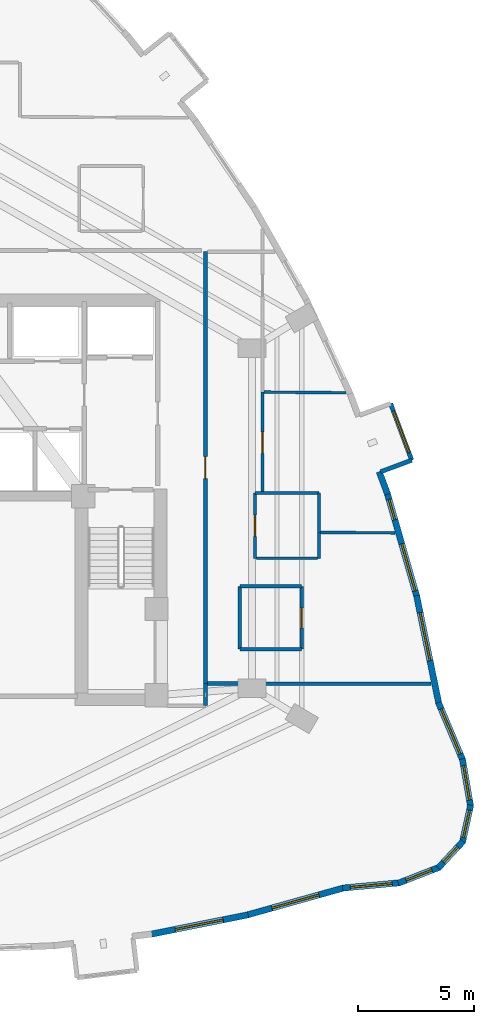
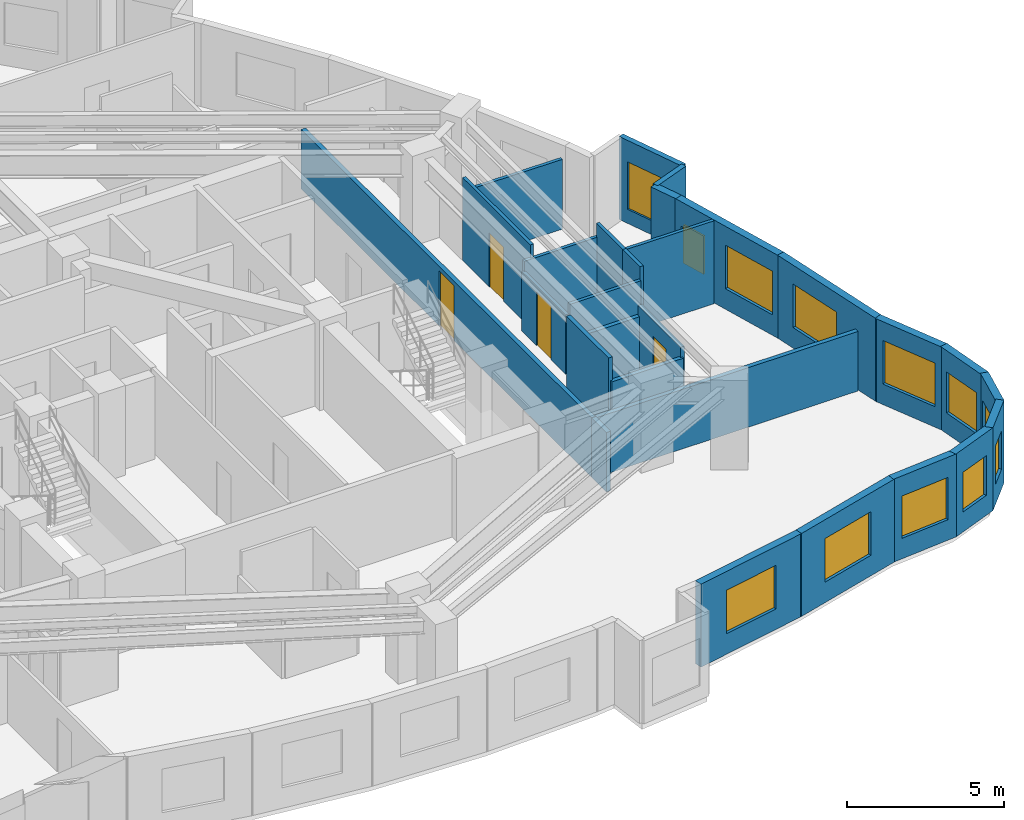
# One storey, part 11 of 14: 28 walls, 12 windows, 4 doors, 16 openings.
"""IFC4 building model written with IfcOpenShell, lengths in metres."""

from ifc_helpers import new_model, si_unit, direction, frame, frame_2d, origin, place, context, subcontext, project, spatial, rectangle, extrude, material, layer, layer_set, type_object, element, fill, save


model = new_model("IFC4")

# Units and contexts
model_context = context("Model", 3, precision=1e-05, world=origin(), true_north=direction((0.0, 1.0)))
body_context = subcontext(model_context, "Body", "Model", "MODEL_VIEW")
ifc_project = project(units=[si_unit("LENGTHUNIT", "METRE"), si_unit("AREAUNIT", "SQUARE_METRE"), si_unit("VOLUMEUNIT", "CUBIC_METRE"), si_unit("PLANEANGLEUNIT", "RADIAN"), si_unit("MASSUNIT", "GRAM", prefix="KILO")], contexts=[model_context])

# Site, building, storey
site_placement = place(None, origin())
site = spatial("IfcSite", under=ifc_project, at=site_placement, CompositionType="ELEMENT")
building_placement = place(site_placement, origin())
building = spatial("IfcBuilding", under=site, at=building_placement, Name="Miruveldt Soraemaru", CompositionType="ELEMENT")
storey_placement = place(building_placement, frame((0.0, 0.0, 114.39990234375)))
storey = spatial("IfcBuildingStorey", under=building, at=storey_placement, Name="L31", CompositionType="ELEMENT", Elevation=114.39990234375)

# Wall
ifc_material_1 = material(Name="White powder-coated aluminium EN AW-6060 T6", Category="aluminium")
ifc_layer_1 = layer(ifc_material_1, 0.18994140625, Name="White powder-coated aluminium EN AW-6060 T6", Category="aluminium")
ifc_layer_set_1 = layer_set([ifc_layer_1], Name="White powder-coated aluminium EN AW-6060 T6")
wall_type_1 = type_object("IfcWallType", Name="WALL-BAY-ALU190", PredefinedType="SOLIDWALL", material=ifc_layer_set_1)
wall_1_placement = place(storey_placement, frame((62.12939453125, 45.095703125, 0.0), z_axis=(0.0, 0.0, 1.0), x_axis=(0.937052436614, 0.349188675411, 0.0)))
element("IfcWall", 1, at=wall_1_placement, inside=storey, type_object=wall_type_1, Name="L31 Bay Window Side Cheek 3L", PredefinedType="SOLIDWALL", context=body_context, shape_type="SweptSolid", body=[
    extrude(rectangle(XDim=1.4248046875, YDim=0.18994140625, at=frame_2d((0.71240234375, 0.0))), origin(), (0.0, 0.0, 1.0), 3.235107421875),
])

# Wall, opening, window
wall_2_placement = place(storey_placement, frame((63.464599609375, 45.59326171875, 0.0), z_axis=(0.0, 0.0, 1.0), x_axis=(-0.349054047709, 0.937102594051, 0.0)))
wall_2 = element("IfcWall", 2, at=wall_2_placement, inside=storey, type_object=wall_type_1, Name="L31 Bay Window Front Frame 3", PredefinedType="SOLIDWALL", context=body_context, shape_type="SweptSolid", body=[
    extrude(rectangle(XDim=2.599853515625, YDim=0.18994140625, at=frame_2d((1.2998046875, 0.0))), origin(), (0.0, 0.0, 1.0), 3.235107421875),
])
opening_1_placement = place(wall_2_placement, frame((0.35009765625, 0.0, 0.550048828125)))
opening_1 = element("IfcOpeningElement", 3, at=opening_1_placement, cuts=wall_2, Name="Opening WN-6", PredefinedType="OPENING", context=body_context, shape_type="SweptSolid", body=[
    extrude(rectangle(XDim=1.89990234375, YDim=1.85009765625, at=frame_2d((0.949951171875, 0.925048828125))), frame((0.0, 0.10498046875, 0.0), z_axis=(0.0, -1.0, 0.0), x_axis=(1.0, 0.0, 0.0)), (0.0, 0.0, 1.0), 0.2099609375),
])
ifc_material_2 = material(Name="Triple low-e insulated glazing", Category="glass")
window_type_1 = type_object("IfcWindowType", Name="WIN-BAYW-1900x1850", PartitioningType="SINGLE_PANEL", PredefinedType="WINDOW", material=ifc_material_2)
window_1_placement = place(opening_1_placement, origin())
window_1 = element("IfcWindow", 4, at=window_1_placement, inside=storey, type_object=window_type_1, Name="L31 Projecting Bay Window 3", OverallHeight=1.85009765625, OverallWidth=1.89990234375, PartitioningType="SINGLE_PANEL", PredefinedType="WINDOW", context=body_context, shape_type="SweptSolid", body=[
    extrude(rectangle(XDim=1.89990234375, YDim=1.85009765625, at=frame_2d((0.949951171875, 0.925048828125))), frame((0.0, 0.030029296875, 0.0), z_axis=(0.0, -1.0, 0.0), x_axis=(1.0, 0.0, 0.0)), (0.0, 0.0, 1.0), 0.06005859375),
])
fill(opening_1, window_1)

ifc_material_3 = material(Name="Precast concrete C45/55 (45 MPa)", Category="concrete")
ifc_layer_2 = layer(ifc_material_3, 0.27001953125, Name="Precast concrete C45/55 (45 MPa)", Category="concrete")
ifc_layer_set_2 = layer_set([ifc_layer_2], Name="Precast concrete C45/55 (45 MPa)")
wall_type_2 = type_object("IfcWallType", Name="WALL-EXT-PC270", PredefinedType="SOLIDWALL", material=ifc_layer_set_2)
wall_3_placement = place(storey_placement, frame((52.231689453125, 25.22509765625, 0.0), z_axis=(0.0, 0.0, 1.0), x_axis=(0.980580675691, 0.196116135138, 0.0)))
wall_3 = element("IfcWall", 5, at=wall_3_placement, inside=storey, type_object=wall_type_2, Name="L31 Precast Concrete Facade Wall 27", PredefinedType="SOLIDWALL", context=body_context, shape_type="SweptSolid", body=[
    extrude(rectangle(XDim=4.284912109375, YDim=0.27001953125, at=frame_2d((2.142578125, 0.0))), origin(), (0.0, 0.0, 1.0), 3.235107421875),
])
opening_2_placement = place(wall_3_placement, frame((1.093017578125, 0.0, 0.800048828125)))
opening_2 = element("IfcOpeningElement", 6, at=opening_2_placement, cuts=wall_3, Name="Opening WN-1", PredefinedType="OPENING", context=body_context, shape_type="SweptSolid", body=[
    extrude(rectangle(XDim=2.10009765625, YDim=1.699951171875, at=frame_2d((1.050048828125, 0.85009765625))), frame((0.0, 0.14501953125, 0.0), z_axis=(0.0, -1.0, 0.0), x_axis=(1.0, 0.0, 0.0)), (0.0, 0.0, 1.0), 0.2900390625),
])
window_type_2 = type_object("IfcWindowType", Name="WIN-PUNCH-2100x1700", PartitioningType="SINGLE_PANEL", PredefinedType="WINDOW", material=ifc_material_2)
window_2_placement = place(opening_2_placement, origin())
window_2 = element("IfcWindow", 7, at=window_2_placement, inside=storey, type_object=window_type_2, Name="L31 Punched Triple-Glazed Window 27.1", OverallHeight=1.699951171875, OverallWidth=2.10009765625, PartitioningType="SINGLE_PANEL", PredefinedType="WINDOW", context=body_context, shape_type="SweptSolid", body=[
    extrude(rectangle(XDim=2.10009765625, YDim=1.699951171875, at=frame_2d((1.050048828125, 0.85009765625))), frame((0.0, 0.030029296875, 0.0), z_axis=(0.0, -1.0, 0.0), x_axis=(1.0, 0.0, 0.0)), (0.0, 0.0, 1.0), 0.06005859375),
])
fill(opening_2, window_2)

wall_4_placement = place(storey_placement, frame((56.365478515625, 26.04931640625, 0.0), z_axis=(0.0, 0.0, 1.0), x_axis=(0.962969832435, 0.269609164943, 0.0)))
wall_4 = element("IfcWall", 8, at=wall_4_placement, inside=storey, type_object=wall_type_2, Name="L31 Precast Concrete Facade Wall 28", PredefinedType="SOLIDWALL", context=body_context, shape_type="SweptSolid", body=[
    extrude(rectangle(XDim=4.362060546875, YDim=0.27001953125, at=frame_2d((2.18115234375, 0.0))), origin(), (0.0, 0.0, 1.0), 3.235107421875),
])
opening_3_placement = place(wall_4_placement, frame((1.131103515625, 0.0, 0.800048828125)))
opening_3 = element("IfcOpeningElement", 9, at=opening_3_placement, cuts=wall_4, Name="Opening WN-1", PredefinedType="OPENING", context=body_context, shape_type="SweptSolid", body=[
    extrude(rectangle(XDim=2.10009765625, YDim=1.699951171875, at=frame_2d((1.050048828125, 0.85009765625))), frame((0.0, 0.14501953125, 0.0), z_axis=(0.0, -1.0, 0.0), x_axis=(1.0, 0.0, 0.0)), (0.0, 0.0, 1.0), 0.2900390625),
])
window_3_placement = place(opening_3_placement, origin())
window_3 = element("IfcWindow", 10, at=window_3_placement, inside=storey, type_object=window_type_2, Name="L31 Punched Triple-Glazed Window 28.1", OverallHeight=1.699951171875, OverallWidth=2.10009765625, PartitioningType="SINGLE_PANEL", PredefinedType="WINDOW", context=body_context, shape_type="SweptSolid", body=[
    extrude(rectangle(XDim=2.10009765625, YDim=1.699951171875, at=frame_2d((1.050048828125, 0.85009765625))), frame((0.0, 0.030029296875, 0.0), z_axis=(0.0, -1.0, 0.0), x_axis=(1.0, 0.0, 0.0)), (0.0, 0.0, 1.0), 0.06005859375),
])
fill(opening_3, window_3)

wall_5_placement = place(storey_placement, frame((60.497314453125, 27.212646484375, 0.0), z_axis=(0.0, 0.0, 1.0), x_axis=(0.995759153727, 0.091998411779, 0.0)))
wall_5 = element("IfcWall", 11, at=wall_5_placement, inside=storey, type_object=wall_type_2, Name="L31 Precast Concrete Facade Wall 29", PredefinedType="SOLIDWALL", context=body_context, shape_type="SweptSolid", body=[
    extrude(rectangle(XDim=2.468017578125, YDim=0.27001953125, at=frame_2d((1.23388671875, 0.0))), origin(), (0.0, 0.0, 1.0), 3.235107421875),
])
opening_4_placement = place(wall_5_placement, frame((0.333984375, 0.0, 0.800048828125)))
opening_4 = element("IfcOpeningElement", 12, at=opening_4_placement, cuts=wall_5, Name="Opening WN-2", PredefinedType="OPENING", context=body_context, shape_type="SweptSolid", body=[
    extrude(rectangle(XDim=1.800048828125, YDim=1.64990234375, at=frame_2d((0.89990234375, 0.824951171875))), frame((0.0, 0.14501953125, 0.0), z_axis=(0.0, -1.0, 0.0), x_axis=(1.0, 0.0, 0.0)), (0.0, 0.0, 1.0), 0.2900390625),
])
window_type_3 = type_object("IfcWindowType", Name="WIN-PUNCH-1800x1650", PartitioningType="SINGLE_PANEL", PredefinedType="WINDOW", material=ifc_material_2)
window_4_placement = place(opening_4_placement, origin())
window_4 = element("IfcWindow", 13, at=window_4_placement, inside=storey, type_object=window_type_3, Name="L31 Punched Triple-Glazed Window 29.1", OverallHeight=1.64990234375, OverallWidth=1.800048828125, PartitioningType="SINGLE_PANEL", PredefinedType="WINDOW", context=body_context, shape_type="SweptSolid", body=[
    extrude(rectangle(XDim=1.800048828125, YDim=1.64990234375, at=frame_2d((0.89990234375, 0.824951171875))), frame((0.0, 0.030029296875, 0.0), z_axis=(0.0, -1.0, 0.0), x_axis=(1.0, 0.0, 0.0)), (0.0, 0.0, 1.0), 0.06005859375),
])
fill(opening_4, window_4)

wall_6_placement = place(storey_placement, frame((62.887451171875, 27.423583984375, 0.0), z_axis=(0.0, 0.0, 1.0), x_axis=(0.932248087426, 0.361819711306, 0.0)))
wall_6 = element("IfcWall", 14, at=wall_6_placement, inside=storey, type_object=wall_type_2, Name="L31 Precast Concrete Facade Wall 30", PredefinedType="SOLIDWALL", context=body_context, shape_type="SweptSolid", body=[
    extrude(rectangle(XDim=1.8994140625, YDim=0.27001953125, at=frame_2d((0.94970703125, 0.0))), origin(), (0.0, 0.0, 1.0), 3.235107421875),
])
opening_5_placement = place(wall_6_placement, frame((0.35009765625, 0.0, 0.780029296875)))
opening_5 = element("IfcOpeningElement", 15, at=opening_5_placement, cuts=wall_6, Name="Opening WN-4", PredefinedType="OPENING", context=body_context, shape_type="SweptSolid", body=[
    extrude(rectangle(XDim=1.199951171875, YDim=1.550048828125, at=frame_2d((0.60009765625, 0.77490234375))), frame((0.0, 0.14501953125, 0.0), z_axis=(0.0, -1.0, 0.0), x_axis=(1.0, 0.0, 0.0)), (0.0, 0.0, 1.0), 0.2900390625),
])
window_type_4 = type_object("IfcWindowType", Name="WIN-PUNCH-1200x1550", PartitioningType="SINGLE_PANEL", PredefinedType="WINDOW", material=ifc_material_2)
window_5_placement = place(opening_5_placement, origin())
window_5 = element("IfcWindow", 16, at=window_5_placement, inside=storey, type_object=window_type_4, Name="L31 Punched Triple-Glazed Window 30.1", OverallHeight=1.550048828125, OverallWidth=1.199951171875, PartitioningType="SINGLE_PANEL", PredefinedType="WINDOW", context=body_context, shape_type="SweptSolid", body=[
    extrude(rectangle(XDim=1.199951171875, YDim=1.550048828125, at=frame_2d((0.60009765625, 0.77490234375))), frame((0.0, 0.030029296875, 0.0), z_axis=(0.0, -1.0, 0.0), x_axis=(1.0, 0.0, 0.0)), (0.0, 0.0, 1.0), 0.06005859375),
])
fill(opening_5, window_5)

wall_7_placement = place(storey_placement, frame((64.601806640625, 28.072509765625, 0.0), z_axis=(0.0, 0.0, 1.0), x_axis=(0.680094167745, 0.733124766325, 0.0)))
wall_7 = element("IfcWall", 17, at=wall_7_placement, inside=storey, type_object=wall_type_2, Name="L31 Precast Concrete Facade Wall 31", PredefinedType="SOLIDWALL", context=body_context, shape_type="SweptSolid", body=[
    extrude(rectangle(XDim=1.574462890625, YDim=0.27001953125, at=frame_2d((0.787109375, 0.0))), origin(), (0.0, 0.0, 1.0), 3.235107421875),
])
opening_6_placement = place(wall_7_placement, frame((0.3369140625, 0.0, 0.780029296875)))
opening_6 = element("IfcOpeningElement", 18, at=opening_6_placement, cuts=wall_7, Name="Opening WN-7", PredefinedType="OPENING", context=body_context, shape_type="SweptSolid", body=[
    extrude(rectangle(XDim=0.89990234375, YDim=1.5, at=frame_2d((0.449951171875, 0.75))), frame((0.0, 0.14501953125, 0.0), z_axis=(0.0, -1.0, 0.0), x_axis=(1.0, 0.0, 0.0)), (0.0, 0.0, 1.0), 0.2900390625),
])
window_type_5 = type_object("IfcWindowType", Name="WIN-PUNCH-900x1500", PartitioningType="SINGLE_PANEL", PredefinedType="WINDOW", material=ifc_material_2)
window_6_placement = place(opening_6_placement, origin())
window_6 = element("IfcWindow", 19, at=window_6_placement, inside=storey, type_object=window_type_5, Name="L31 Punched Triple-Glazed Window 31.1", OverallHeight=1.5, OverallWidth=0.89990234375, PartitioningType="SINGLE_PANEL", PredefinedType="WINDOW", context=body_context, shape_type="SweptSolid", body=[
    extrude(rectangle(XDim=0.89990234375, YDim=1.5, at=frame_2d((0.449951171875, 0.75))), frame((0.0, 0.030029296875, 0.0), z_axis=(0.0, -1.0, 0.0), x_axis=(1.0, 0.0, 0.0)), (0.0, 0.0, 1.0), 0.06005859375),
])
fill(opening_6, window_6)

wall_8_placement = place(storey_placement, frame((65.641357421875, 29.1669921875, 0.0), z_axis=(0.0, 0.0, 1.0), x_axis=(0.215865785232, 0.976423044979, 0.0)))
wall_8 = element("IfcWall", 20, at=wall_8_placement, inside=storey, type_object=wall_type_2, Name="L31 Precast Concrete Facade Wall 32", PredefinedType="SOLIDWALL", context=body_context, shape_type="SweptSolid", body=[
    extrude(rectangle(XDim=1.651123046875, YDim=0.27001953125, at=frame_2d((0.82568359375, 0.0))), origin(), (0.0, 0.0, 1.0), 3.235107421875),
])
opening_7_placement = place(wall_8_placement, frame((0.22607421875, 0.0, 0.780029296875)))
opening_7 = element("IfcOpeningElement", 21, at=opening_7_placement, cuts=wall_8, Name="Opening WN-4", PredefinedType="OPENING", context=body_context, shape_type="SweptSolid", body=[
    extrude(rectangle(XDim=1.199951171875, YDim=1.550048828125, at=frame_2d((0.60009765625, 0.77490234375))), frame((0.0, 0.14501953125, 0.0), z_axis=(0.0, -1.0, 0.0), x_axis=(1.0, 0.0, 0.0)), (0.0, 0.0, 1.0), 0.2900390625),
])
window_7_placement = place(opening_7_placement, origin())
window_7 = element("IfcWindow", 22, at=window_7_placement, inside=storey, type_object=window_type_4, Name="L31 Punched Triple-Glazed Window 32.1", OverallHeight=1.550048828125, OverallWidth=1.199951171875, PartitioningType="SINGLE_PANEL", PredefinedType="WINDOW", context=body_context, shape_type="SweptSolid", body=[
    extrude(rectangle(XDim=1.199951171875, YDim=1.550048828125, at=frame_2d((0.60009765625, 0.77490234375))), frame((0.0, 0.030029296875, 0.0), z_axis=(0.0, -1.0, 0.0), x_axis=(1.0, 0.0, 0.0)), (0.0, 0.0, 1.0), 0.06005859375),
])
fill(opening_7, window_7)

wall_9_placement = place(storey_placement, frame((65.99609375, 30.710693359375, 0.0), z_axis=(0.0, 0.0, 1.0), x_axis=(-0.16937343878, 0.985551945986, 0.0)))
wall_9 = element("IfcWall", 23, at=wall_9_placement, inside=storey, type_object=wall_type_2, Name="L31 Precast Concrete Facade Wall 33", PredefinedType="SOLIDWALL", context=body_context, shape_type="SweptSolid", body=[
    extrude(rectangle(XDim=2.084228515625, YDim=0.27001953125, at=frame_2d((1.0419921875, 0.0))), origin(), (0.0, 0.0, 1.0), 3.235107421875),
])
opening_8_placement = place(wall_9_placement, frame((0.2919921875, 0.0, 0.800048828125)))
opening_8 = element("IfcOpeningElement", 24, at=opening_8_placement, cuts=wall_9, Name="Opening WN-3", PredefinedType="OPENING", context=body_context, shape_type="SweptSolid", body=[
    extrude(rectangle(XDim=1.5, YDim=1.60009765625, at=frame_2d((0.75, 0.800048828125))), frame((0.0, 0.14501953125, 0.0), z_axis=(0.0, -1.0, 0.0), x_axis=(1.0, 0.0, 0.0)), (0.0, 0.0, 1.0), 0.2900390625),
])
window_type_6 = type_object("IfcWindowType", Name="WIN-PUNCH-1500x1600", PartitioningType="SINGLE_PANEL", PredefinedType="WINDOW", material=ifc_material_2)
window_8_placement = place(opening_8_placement, origin())
window_8 = element("IfcWindow", 25, at=window_8_placement, inside=storey, type_object=window_type_6, Name="L31 Punched Triple-Glazed Window 33.1", OverallHeight=1.60009765625, OverallWidth=1.5, PartitioningType="SINGLE_PANEL", PredefinedType="WINDOW", context=body_context, shape_type="SweptSolid", body=[
    extrude(rectangle(XDim=1.5, YDim=1.60009765625, at=frame_2d((0.75, 0.800048828125))), frame((0.0, 0.030029296875, 0.0), z_axis=(0.0, -1.0, 0.0), x_axis=(1.0, 0.0, 0.0)), (0.0, 0.0, 1.0), 0.06005859375),
])
fill(opening_8, window_8)

wall_10_placement = place(storey_placement, frame((65.66259765625, 32.6982421875, 0.0), z_axis=(0.0, 0.0, 1.0), x_axis=(-0.388626230433, 0.921395492185, 0.0)))
wall_10 = element("IfcWall", 26, at=wall_10_placement, inside=storey, type_object=wall_type_2, Name="L31 Precast Concrete Facade Wall 34", PredefinedType="SOLIDWALL", context=body_context, shape_type="SweptSolid", body=[
    extrude(rectangle(XDim=2.703125, YDim=0.27001953125, at=frame_2d((1.3515625, 0.0))), origin(), (0.0, 0.0, 1.0), 3.235107421875),
])
opening_9_placement = place(wall_10_placement, frame((0.302001953125, 0.0, 0.800048828125)))
opening_9 = element("IfcOpeningElement", 27, at=opening_9_placement, cuts=wall_10, Name="Opening WN-1", PredefinedType="OPENING", context=body_context, shape_type="SweptSolid", body=[
    extrude(rectangle(XDim=2.10009765625, YDim=1.699951171875, at=frame_2d((1.050048828125, 0.85009765625))), frame((0.0, 0.14501953125, 0.0), z_axis=(0.0, -1.0, 0.0), x_axis=(1.0, 0.0, 0.0)), (0.0, 0.0, 1.0), 0.2900390625),
])
window_9_placement = place(opening_9_placement, origin())
window_9 = element("IfcWindow", 28, at=window_9_placement, inside=storey, type_object=window_type_2, Name="L31 Punched Triple-Glazed Window 34.1", OverallHeight=1.699951171875, OverallWidth=2.10009765625, PartitioningType="SINGLE_PANEL", PredefinedType="WINDOW", context=body_context, shape_type="SweptSolid", body=[
    extrude(rectangle(XDim=2.10009765625, YDim=1.699951171875, at=frame_2d((1.050048828125, 0.85009765625))), frame((0.0, 0.030029296875, 0.0), z_axis=(0.0, -1.0, 0.0), x_axis=(1.0, 0.0, 0.0)), (0.0, 0.0, 1.0), 0.06005859375),
])
fill(opening_9, window_9)

wall_11_placement = place(storey_placement, frame((64.6328125, 35.12255859375, 0.0), z_axis=(0.0, 0.0, 1.0), x_axis=(-0.201634082023, 0.979460921613, 0.0)))
wall_11 = element("IfcWall", 29, at=wall_11_placement, inside=storey, type_object=wall_type_2, Name="L31 Precast Concrete Facade Wall 35", PredefinedType="SOLIDWALL", context=body_context, shape_type="SweptSolid", body=[
    extrude(rectangle(XDim=4.753662109375, YDim=0.27001953125, at=frame_2d((2.376953125, 0.0))), origin(), (0.0, 0.0, 1.0), 3.235107421875),
])
opening_10_placement = place(wall_11_placement, frame((1.903076171875, 0.0, 0.800048828125)))
opening_10 = element("IfcOpeningElement", 30, at=opening_10_placement, cuts=wall_11, Name="Opening WN-1", PredefinedType="OPENING", context=body_context, shape_type="SweptSolid", body=[
    extrude(rectangle(XDim=2.10009765625, YDim=1.699951171875, at=frame_2d((1.050048828125, 0.85009765625))), frame((0.0, 0.14501953125, 0.0), z_axis=(0.0, -1.0, 0.0), x_axis=(1.0, 0.0, 0.0)), (0.0, 0.0, 1.0), 0.2900390625),
])
window_10_placement = place(opening_10_placement, origin())
window_10 = element("IfcWindow", 31, at=window_10_placement, inside=storey, type_object=window_type_2, Name="L31 Punched Triple-Glazed Window 35.1", OverallHeight=1.699951171875, OverallWidth=2.10009765625, PartitioningType="SINGLE_PANEL", PredefinedType="WINDOW", context=body_context, shape_type="SweptSolid", body=[
    extrude(rectangle(XDim=2.10009765625, YDim=1.699951171875, at=frame_2d((1.050048828125, 0.85009765625))), frame((0.0, 0.030029296875, 0.0), z_axis=(0.0, -1.0, 0.0), x_axis=(1.0, 0.0, 0.0)), (0.0, 0.0, 1.0), 0.06005859375),
])
fill(opening_10, window_10)

# Wall, openings, windows
wall_12_placement = place(storey_placement, frame((63.691162109375, 39.71044921875, 0.0), z_axis=(0.0, 0.0, 1.0), x_axis=(-0.274948989089, 0.961458815238, 0.0)))
wall_12 = element("IfcWall", 32, at=wall_12_placement, inside=storey, type_object=wall_type_2, Name="L31 Precast Concrete Facade Wall 36", PredefinedType="SOLIDWALL", context=body_context, shape_type="SweptSolid", body=[
    extrude(rectangle(XDim=4.669677734375, YDim=0.27001953125, at=frame_2d((2.3349609375, 0.0))), origin(), (0.0, 0.0, 1.0), 3.235107421875),
])
opening_11_placement = place(wall_12_placement, frame((0.2880859375, 0.0, 0.800048828125)))
opening_11 = element("IfcOpeningElement", 33, at=opening_11_placement, cuts=wall_12, Name="Opening WN-1", PredefinedType="OPENING", context=body_context, shape_type="SweptSolid", body=[
    extrude(rectangle(XDim=2.10009765625, YDim=1.699951171875, at=frame_2d((1.050048828125, 0.85009765625))), frame((0.0, 0.14501953125, 0.0), z_axis=(0.0, -1.0, 0.0), x_axis=(1.0, 0.0, 0.0)), (0.0, 0.0, 1.0), 0.2900390625),
])
opening_12_placement = place(wall_12_placement, frame((3.462890625, 0.0, 0.780029296875)))
opening_12 = element("IfcOpeningElement", 34, at=opening_12_placement, cuts=wall_12, Name="Opening WN-7", PredefinedType="OPENING", context=body_context, shape_type="SweptSolid", body=[
    extrude(rectangle(XDim=0.89990234375, YDim=1.5, at=frame_2d((0.449951171875, 0.75))), frame((0.0, 0.14501953125, 0.0), z_axis=(0.0, -1.0, 0.0), x_axis=(1.0, 0.0, 0.0)), (0.0, 0.0, 1.0), 0.2900390625),
])
window_11_placement = place(opening_11_placement, origin())
window_11 = element("IfcWindow", 35, at=window_11_placement, inside=storey, type_object=window_type_2, Name="L31 Punched Triple-Glazed Window 36.1", OverallHeight=1.699951171875, OverallWidth=2.10009765625, PartitioningType="SINGLE_PANEL", PredefinedType="WINDOW", context=body_context, shape_type="SweptSolid", body=[
    extrude(rectangle(XDim=2.10009765625, YDim=1.699951171875, at=frame_2d((1.050048828125, 0.85009765625))), frame((0.0, 0.030029296875, 0.0), z_axis=(0.0, -1.0, 0.0), x_axis=(1.0, 0.0, 0.0)), (0.0, 0.0, 1.0), 0.06005859375),
])
fill(opening_11, window_11)
window_12_placement = place(opening_12_placement, origin())
window_12 = element("IfcWindow", 36, at=window_12_placement, inside=storey, type_object=window_type_5, Name="L31 Punched Triple-Glazed Window 36.2", OverallHeight=1.5, OverallWidth=0.89990234375, PartitioningType="SINGLE_PANEL", PredefinedType="WINDOW", context=body_context, shape_type="SweptSolid", body=[
    extrude(rectangle(XDim=0.89990234375, YDim=1.5, at=frame_2d((0.449951171875, 0.75))), frame((0.0, 0.030029296875, 0.0), z_axis=(0.0, -1.0, 0.0), x_axis=(1.0, 0.0, 0.0)), (0.0, 0.0, 1.0), 0.06005859375),
])
fill(opening_12, window_12)

# Wall
wall_13_placement = place(storey_placement, frame((62.428955078125, 44.133544921875, 0.0), z_axis=(0.0, 0.0, 1.0), x_axis=(-0.348902141636, 0.937159162342, 0.0)))
element("IfcWall", 37, at=wall_13_placement, inside=storey, type_object=wall_type_2, Name="L31 Precast Pier Wall 37A", PredefinedType="SOLIDWALL", context=body_context, shape_type="SweptSolid", body=[
    extrude(rectangle(XDim=1.036376953125, YDim=0.27001953125, at=frame_2d((0.51806640625, 0.0))), origin(), (0.0, 0.0, 1.0), 3.235107421875),
])

# Wall, opening, door
ifc_material_4 = material(Name="Gypsum plasterboard lining", Category="gypsum")
ifc_layer_3 = layer(ifc_material_4, 0.1201171875, Name="Gypsum plasterboard lining", Category="gypsum")
ifc_layer_set_3 = layer_set([ifc_layer_3], Name="Gypsum plasterboard lining")
wall_type_3 = type_object("IfcWallType", Name="WALL-INT-P120", PredefinedType="PARTITIONING", material=ifc_layer_set_3)
wall_14_placement = place(storey_placement, frame((57.050048828125, 44.179931640625, 0.0), z_axis=(0.0, 0.0, 1.0), x_axis=(0.0, 1.0, 0.0)))
wall_14 = element("IfcWall", 38, at=wall_14_placement, inside=storey, type_object=wall_type_3, Name="L31 Partition Wall 58", PredefinedType="PARTITIONING", context=body_context, shape_type="SweptSolid", body=[
    extrude(rectangle(XDim=4.341064453125, YDim=0.1201171875, at=frame_2d((2.17041015625, 0.0))), origin(), (0.0, 0.0, 1.0), 3.235107421875),
])
opening_13_placement = place(wall_14_placement, frame((1.7109375, 0.0, 0.0)))
opening_13 = element("IfcOpeningElement", 39, at=opening_13_placement, cuts=wall_14, Name="Opening D3A", PredefinedType="OPENING", context=body_context, shape_type="SweptSolid", body=[
    extrude(rectangle(XDim=0.919921875, YDim=2.10009765625, at=frame_2d((0.4599609375, 1.050048828125))), frame((0.0, 0.070068359375, 0.0), z_axis=(0.0, -1.0, 0.0), x_axis=(1.0, 0.0, 0.0)), (0.0, 0.0, 1.0), 0.14013671875),
])
ifc_material_5 = material(Name="Anodised aluminium EN AW-6063 T6", Category="aluminium")
door_type_1 = type_object("IfcDoorType", Name="DOOR-INT-920", OperationType="NOTDEFINED", PredefinedType="DOOR", material=ifc_material_5)
door_1_placement = place(opening_13_placement, origin())
door_1 = element("IfcDoor", 40, at=door_1_placement, inside=storey, type_object=door_type_1, Name="L31 Unit 3104 BD1 Door", OperationType="SINGLE_SWING_RIGHT", OverallHeight=2.10009765625, OverallWidth=0.919921875, PredefinedType="DOOR", context=body_context, shape_type="SweptSolid", body=[
    extrude(rectangle(XDim=0.919921875, YDim=2.10009765625, at=frame_2d((0.4599609375, 1.050048828125))), frame((0.0, 0.02490234375, 0.0), z_axis=(0.0, -1.0, 0.0), x_axis=(1.0, 0.0, 0.0)), (0.0, 0.0, 1.0), 0.050048828125),
])
fill(opening_13, door_1)

wall_15_placement = place(storey_placement, frame((56.72998046875, 44.179931640625, 0.0), z_axis=(0.0, 0.0, 1.0), x_axis=(0.0, -1.0, 0.0)))
wall_15 = element("IfcWall", 41, at=wall_15_placement, inside=storey, type_object=wall_type_3, Name="L31 Partition Wall 55", PredefinedType="PARTITIONING", context=body_context, shape_type="SweptSolid", body=[
    extrude(rectangle(XDim=2.800048828125, YDim=0.1201171875, at=frame_2d((1.39990234375, 0.0))), origin(), (0.0, 0.0, 1.0), 2.322998046875),
])
opening_14_placement = place(wall_15_placement, frame((0.93994140625, 0.0, 0.0)))
opening_14 = element("IfcOpeningElement", 42, at=opening_14_placement, cuts=wall_15, Name="Opening D3A", PredefinedType="OPENING", context=body_context, shape_type="SweptSolid", body=[
    extrude(rectangle(XDim=0.919921875, YDim=2.10009765625, at=frame_2d((0.4599609375, 1.050048828125))), frame((0.0, 0.070068359375, 0.0), z_axis=(0.0, -1.0, 0.0), x_axis=(1.0, 0.0, 0.0)), (0.0, 0.0, 1.0), 0.14013671875),
])
door_2_placement = place(opening_14_placement, origin())
door_2 = element("IfcDoor", 43, at=door_2_placement, inside=storey, type_object=door_type_1, Name="L31 Unit 3104 KIT Door", OperationType="SINGLE_SWING_LEFT", OverallHeight=2.10009765625, OverallWidth=0.919921875, PredefinedType="DOOR", context=body_context, shape_type="SweptSolid", body=[
    extrude(rectangle(XDim=0.919921875, YDim=2.10009765625, at=frame_2d((0.4599609375, 1.050048828125))), frame((0.0, 0.02490234375, 0.0), z_axis=(0.0, -1.0, 0.0), x_axis=(1.0, 0.0, 0.0)), (0.0, 0.0, 1.0), 0.050048828125),
])
fill(opening_14, door_2)

# Walls
wall_16_placement = place(storey_placement, frame((60.634033203125, 48.491943359375, 0.0), z_axis=(0.0, 0.0, 1.0), x_axis=(-0.999966016478, 0.008244142716, 0.0)))
element("IfcWall", 44, at=wall_16_placement, inside=storey, type_object=wall_type_3, Name="L31 Partition Wall 62", PredefinedType="PARTITIONING", context=body_context, shape_type="SweptSolid", body=[
    extrude(rectangle(XDim=3.52392578125, YDim=0.1201171875, at=frame_2d((1.761962890625, 0.0))), origin(), (0.0, 0.0, 1.0), 2.72314453125),
])
wall_17_placement = place(storey_placement, frame((62.7451171875, 42.472900390625, 0.0), z_axis=(0.0, 0.0, 1.0), x_axis=(-0.999982349762, 0.005941394217, 0.0)))
element("IfcWall", 45, at=wall_17_placement, inside=storey, type_object=wall_type_3, Name="L31 Partition Wall 57", PredefinedType="PARTITIONING", context=body_context, shape_type="SweptSolid", body=[
    extrude(rectangle(XDim=3.205078125, YDim=0.1201171875, at=frame_2d((1.6025390625, 0.0))), origin(), (0.0, 0.0, 1.0), 3.235107421875),
])
wall_18_placement = place(storey_placement, frame((59.47998046875, 44.179931640625, 0.0), z_axis=(0.0, 0.0, 1.0), x_axis=(-1.0, 0.0, 0.0)))
element("IfcWall", 46, at=wall_18_placement, inside=storey, type_object=wall_type_3, Name="L31 Partition Wall 71", PredefinedType="PARTITIONING", context=body_context, shape_type="SweptSolid", body=[
    extrude(rectangle(XDim=2.75, YDim=0.1201171875, at=frame_2d((1.375, 0.0))), origin(), (0.0, 0.0, 1.0), 2.72314453125),
])
wall_19_placement = place(storey_placement, frame((56.7900390625, 41.3798828125, 0.0), z_axis=(0.0, 0.0, 1.0), x_axis=(1.0, 0.0, 0.0)))
element("IfcWall", 47, at=wall_19_placement, inside=storey, type_object=wall_type_3, Name="L31 Partition Wall 56", PredefinedType="PARTITIONING", context=body_context, shape_type="SweptSolid", body=[
    extrude(rectangle(XDim=2.6298828125, YDim=0.1201171875, at=frame_2d((1.31494140625, 0.0))), origin(), (0.0, 0.0, 1.0), 2.72314453125),
])
wall_20_placement = place(storey_placement, frame((59.47998046875, 42.491943359375, 0.0), z_axis=(0.0, 0.0, 1.0), x_axis=(0.0, 1.0, 0.0)))
element("IfcWall", 48, at=wall_20_placement, inside=storey, type_object=wall_type_3, Name="L31 Partition Wall 61", PredefinedType="PARTITIONING", context=body_context, shape_type="SweptSolid", body=[
    extrude(rectangle(XDim=1.68798828125, YDim=0.1201171875, at=frame_2d((0.843994140625, 0.0))), origin(), (0.0, 0.0, 1.0), 3.235107421875),
])
wall_21_placement = place(storey_placement, frame((59.47998046875, 41.3798828125, 0.0), z_axis=(0.0, 0.0, 1.0), x_axis=(0.0, 1.0, 0.0)))
element("IfcWall", 49, at=wall_21_placement, inside=storey, type_object=wall_type_3, Name="L31 Partition Wall 54", PredefinedType="PARTITIONING", context=body_context, shape_type="SweptSolid", body=[
    extrude(rectangle(XDim=1.112060546875, YDim=0.1201171875, at=frame_2d((0.55615234375, 0.0))), origin(), (0.0, 0.0, 1.0), 3.235107421875),
])

# Wall, opening, door
ifc_layer_4 = layer(ifc_material_4, 0.14990234375, Name="Gypsum plasterboard lining", Category="gypsum")
ifc_layer_set_4 = layer_set([ifc_layer_4], Name="Gypsum plasterboard lining")
wall_type_4 = type_object("IfcWallType", Name="WALL-INT-PLUMB", PredefinedType="PLUMBINGWALL", material=ifc_layer_set_4)
wall_22_placement = place(storey_placement, frame((58.72998046875, 37.47998046875, 0.0), z_axis=(0.0, 0.0, 1.0), x_axis=(0.0, 1.0, 0.0)))
wall_22 = element("IfcWall", 50, at=wall_22_placement, inside=storey, type_object=wall_type_4, Name="L31 Partition Wall 50", PredefinedType="PLUMBINGWALL", context=body_context, shape_type="SweptSolid", body=[
    extrude(rectangle(XDim=2.699951171875, YDim=0.14990234375, at=frame_2d((1.35009765625, 0.0))), origin(), (0.0, 0.0, 1.0), 2.72314453125),
])
opening_15_placement = place(wall_22_placement, frame((0.909912109375, 0.0, 0.0)))
opening_15 = element("IfcOpeningElement", 51, at=opening_15_placement, cuts=wall_22, Name="Opening FD3", PredefinedType="OPENING", context=body_context, shape_type="SweptSolid", body=[
    extrude(rectangle(XDim=0.85009765625, YDim=2.10009765625, at=frame_2d((0.425048828125, 1.050048828125))), frame((0.0, 0.0849609375, 0.0), z_axis=(0.0, -1.0, 0.0), x_axis=(1.0, 0.0, 0.0)), (0.0, 0.0, 1.0), 0.169921875),
])
door_type_2 = type_object("IfcDoorType", Name="DOOR-FD3-850", OperationType="NOTDEFINED", PredefinedType="DOOR", material=ifc_material_5)
door_3_placement = place(opening_15_placement, origin())
door_3 = element("IfcDoor", 52, at=door_3_placement, inside=storey, type_object=door_type_2, Name="L31 Unit 3104 BTH Door", OperationType="SINGLE_SWING_RIGHT", OverallHeight=2.10009765625, OverallWidth=0.85009765625, PredefinedType="DOOR", context=body_context, shape_type="SweptSolid", body=[
    extrude(rectangle(XDim=0.85009765625, YDim=2.10009765625, at=frame_2d((0.425048828125, 1.050048828125))), frame((0.0, 0.02490234375, 0.0), z_axis=(0.0, -1.0, 0.0), x_axis=(1.0, 0.0, 0.0)), (0.0, 0.0, 1.0), 0.050048828125),
])
fill(opening_15, door_3)

# Walls
wall_23_placement = place(storey_placement, frame((56.080078125, 40.179931640625, 0.0), z_axis=(0.0, 0.0, 1.0), x_axis=(0.0, -1.0, 0.0)))
element("IfcWall", 53, at=wall_23_placement, inside=storey, type_object=wall_type_4, Name="L31 Partition Wall 52", PredefinedType="PLUMBINGWALL", context=body_context, shape_type="SweptSolid", body=[
    extrude(rectangle(XDim=2.699951171875, YDim=0.14990234375, at=frame_2d((1.35009765625, 0.0))), origin(), (0.0, 0.0, 1.0), 3.235107421875),
])
for number, where, z_axis, x_axis, name in (
    (54, (58.72998046875, 40.179931640625, 0.0), (0.0, 0.0, 1.0), (-1.0, 0.0, 0.0), "L31 Partition Wall 51"),
    (55, (56.080078125, 37.47998046875, 0.0), (0.0, 0.0, 1.0), (1.0, 0.0, 0.0), "L31 Partition Wall 53"),
):
    element("IfcWall", number, at=place(storey_placement, frame(where, z_axis=z_axis, x_axis=x_axis)), inside=storey, type_object=wall_type_4, Name=name, PredefinedType="PLUMBINGWALL", context=body_context, shape_type="SweptSolid", body=[
        extrude(rectangle(XDim=2.64990234375, YDim=0.14990234375, at=frame_2d((1.324951171875, 0.0))), origin(), (0.0, 0.0, 1.0), 2.322998046875),
    ])

# Wall, opening, door
ifc_material_6 = material(Name="Concrete C40/50 (40 MPa)", Category="concrete")
ifc_layer_5 = layer(ifc_material_6, 0.159912109375, Name="Concrete C40/50 (40 MPa)", Category="concrete")
ifc_layer_set_5 = layer_set([ifc_layer_5], Name="Concrete C40/50 (40 MPa)")
wall_type_5 = type_object("IfcWallType", Name="WALL-INT-RC160", PredefinedType="SOLIDWALL", material=ifc_layer_set_5)
wall_24_placement = place(storey_placement, frame((54.60009765625, 36.0, 0.0), z_axis=(0.0, 0.0, 1.0), x_axis=(0.0, 1.0, 0.0)))
wall_24 = element("IfcWall", 56, at=wall_24_placement, inside=storey, type_object=wall_type_5, Name="L31 Partition Wall 4", PredefinedType="SOLIDWALL", context=body_context, shape_type="SweptSolid", body=[
    extrude(rectangle(XDim=18.550048828125, YDim=0.159912109375, at=frame_2d((9.27490234375, 0.0))), origin(), (0.0, 0.0, 1.0), 2.322998046875),
])
opening_16_placement = place(wall_24_placement, frame((8.800048828125, 0.0, 0.0)))
opening_16 = element("IfcOpeningElement", 57, at=opening_16_placement, cuts=wall_24, Name="Opening FD2", PredefinedType="OPENING", context=body_context, shape_type="SweptSolid", body=[
    extrude(rectangle(XDim=0.949951171875, YDim=2.14990234375, at=frame_2d((0.47509765625, 1.074951171875))), frame((0.0, 0.08984375, 0.0), z_axis=(0.0, -1.0, 0.0), x_axis=(1.0, 0.0, 0.0)), (0.0, 0.0, 1.0), 0.179931640625),
])
door_type_3 = type_object("IfcDoorType", Name="DOOR-FD2-950", OperationType="NOTDEFINED", PredefinedType="DOOR", material=ifc_material_5)
door_4_placement = place(opening_16_placement, origin())
door_4 = element("IfcDoor", 58, at=door_4_placement, inside=storey, type_object=door_type_3, Name="L31 Unit 3104 Entrance Fire Door", OperationType="SINGLE_SWING_LEFT", OverallHeight=2.14990234375, OverallWidth=0.949951171875, PredefinedType="DOOR", context=body_context, shape_type="SweptSolid", body=[
    extrude(rectangle(XDim=0.949951171875, YDim=2.14990234375, at=frame_2d((0.47509765625, 1.074951171875))), frame((0.0, 0.02490234375, 0.0), z_axis=(0.0, -1.0, 0.0), x_axis=(1.0, 0.0, 0.0)), (0.0, 0.0, 1.0), 0.050048828125),
])
fill(opening_16, door_4)

# Walls
wall_25_placement = place(storey_placement, frame((54.68505859375, 36.0, 0.0), z_axis=(0.0, 0.0, 1.0), x_axis=(0.999999094836, -0.001345483791, 0.0)))
element("IfcWall", 59, at=wall_25_placement, inside=storey, type_object=wall_type_5, Name="L31 Partition Wall 60", PredefinedType="SOLIDWALL", context=body_context, shape_type="SweptSolid", body=[
    extrude(rectangle(XDim=9.616943359375, YDim=0.159912109375, at=frame_2d((4.80859375, 0.0))), origin(), (0.0, 0.0, 1.0), 2.322998046875),
])
wall_26_placement = place(storey_placement, frame((54.60009765625, 35.050048828125, 0.0), z_axis=(0.0, 0.0, 1.0), x_axis=(0.0, 1.0, 0.0)))
element("IfcWall", 60, at=wall_26_placement, inside=storey, type_object=wall_type_5, Name="L31 Partition Wall 9", PredefinedType="SOLIDWALL", context=body_context, shape_type="SweptSolid", body=[
    extrude(rectangle(XDim=0.945068359375, YDim=0.159912109375, at=frame_2d((0.47265625, 0.0))), origin(), (0.0, 0.0, 1.0), 2.322998046875),
])

save(model, "model.ifc")
